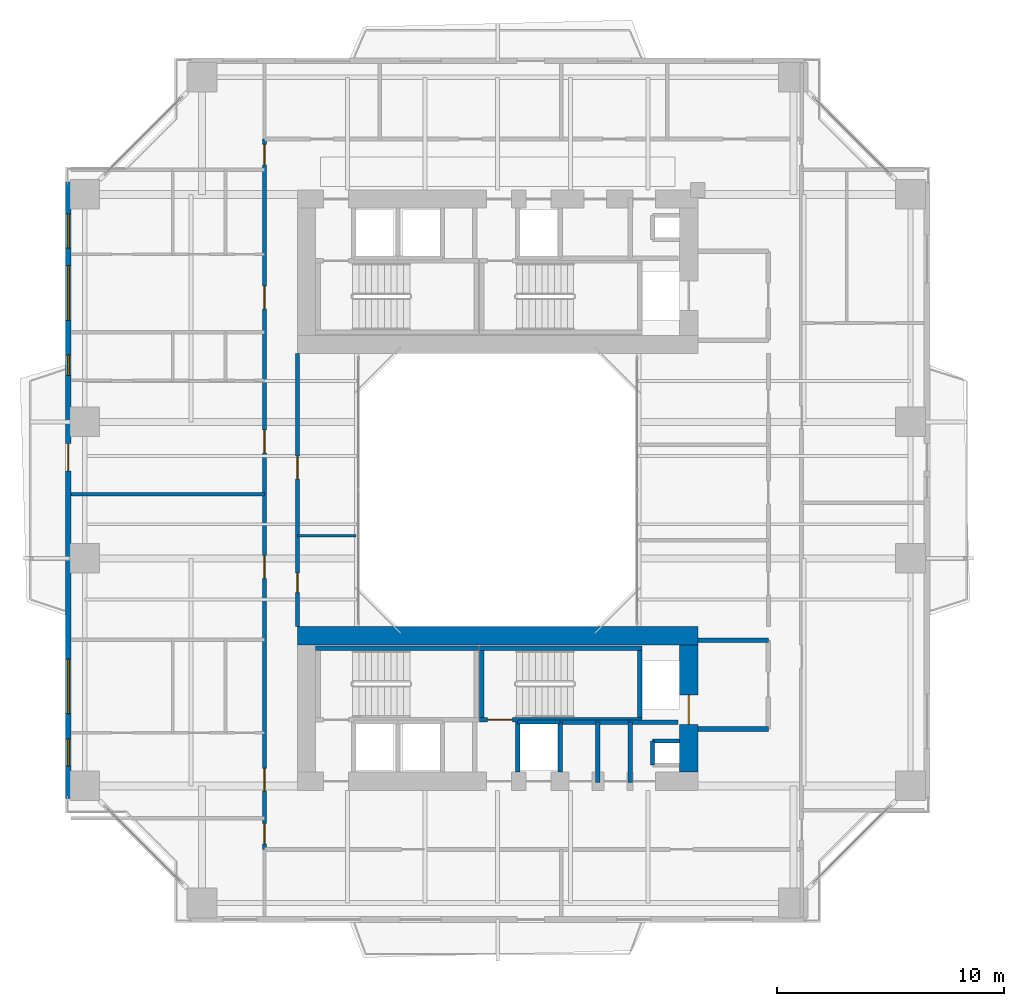
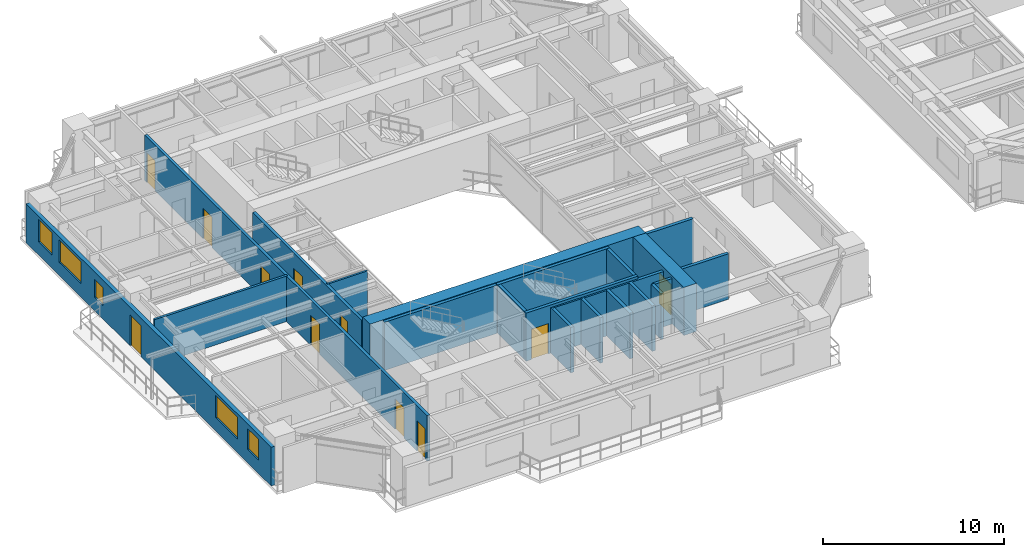
# One storey, part 14 of 23: 22 walls, 11 doors, 5 windows, 16 openings.
"""IFC4 building model written with IfcOpenShell, lengths in metres."""

from ifc_helpers import new_model, si_unit, direction, frame, frame_2d, origin, place, context, subcontext, project, spatial, rectangle, extrude, source, transform, mapped, material, layer, layer_set, type_object, element, fill, save


model = new_model("IFC4")

# Units and contexts
model_context = context("Model", 3, precision=1e-05, world=origin(), true_north=direction((0.0, 1.0)))
body_context = subcontext(model_context, "Body", "Model", "MODEL_VIEW")
ifc_project = project(units=[si_unit("LENGTHUNIT", "METRE"), si_unit("AREAUNIT", "SQUARE_METRE"), si_unit("VOLUMEUNIT", "CUBIC_METRE"), si_unit("PLANEANGLEUNIT", "RADIAN"), si_unit("MASSUNIT", "GRAM", prefix="KILO"), si_unit("THERMODYNAMICTEMPERATUREUNIT", "KELVIN"), si_unit("POWERUNIT", "WATT")], contexts=[model_context])

# Site, building, storey
site_placement = place(None, origin())
site = spatial("IfcSite", under=ifc_project, at=site_placement, CompositionType="ELEMENT")
building_placement = place(site_placement, origin())
building = spatial("IfcBuilding", under=site, at=building_placement, Name="Qiaomeng Ring Towers", CompositionType="ELEMENT")
storey_placement = place(building_placement, frame((0.0, 0.0, 66.5)))
storey = spatial("IfcBuildingStorey", under=building, at=storey_placement, Name="L18", CompositionType="ELEMENT", Elevation=66.5)

# Wall, openings, door, windows
ifc_material_1 = material(Name="Precast concrete C40", Category="concrete")
ifc_layer_1 = layer(ifc_material_1, 0.25, Name="Precast concrete C40")
ifc_layer_set_1 = layer_set([ifc_layer_1], Name="Precast concrete C40")
wall_type_1 = type_object("IfcWallType", Name="ARC-WL-EW1", PredefinedType="STANDARD", material=ifc_layer_set_1)
wall_1_placement = place(storey_placement, frame((0.125, 9.449951171875, 0.0), z_axis=(0.0, 0.0, 1.0), x_axis=(0.0, 1.0, 0.0)))
wall_1 = element("IfcWall", 1, at=wall_1_placement, inside=storey, type_object=wall_type_1, Name="L18 Tower 1 W Exterior Wall", PredefinedType="STANDARD", context=body_context, shape_type="SweptSolid", body=[
    extrude(rectangle(XDim=27.10009765625, YDim=0.25, at=frame_2d((13.550048828125, 0.0))), origin(), (0.0, 0.0, 1.0), 2.610107421875),
])
opening_1_placement = place(wall_1_placement, frame((14.39990234375, 0.0, 0.0)))
opening_1 = element("IfcOpeningElement", 2, at=opening_1_placement, cuts=wall_1, Name="Opening BD1", PredefinedType="OPENING", context=body_context, shape_type="SweptSolid", body=[
    extrude(rectangle(XDim=1.199951171875, YDim=2.10009765625, at=frame_2d((0.60009765625, 1.050048828125))), frame((0.0, 0.135009765625, 0.0), z_axis=(0.0, -1.0, 0.0), x_axis=(1.0, 0.0, 0.0)), (0.0, 0.0, 1.0), 0.27001953125),
])
opening_2_placement = place(wall_1_placement, frame((1.41748046875, 0.0, 0.89990234375)))
opening_2 = element("IfcOpeningElement", 3, at=opening_2_placement, cuts=wall_1, Name="Opening WN3", PredefinedType="OPENING", context=body_context, shape_type="SweptSolid", body=[
    extrude(rectangle(XDim=1.199951171875, YDim=1.39990234375, at=frame_2d((0.60009765625, 0.699951171875))), frame((0.0, 0.135009765625, 0.0), z_axis=(0.0, -1.0, 0.0), x_axis=(1.0, 0.0, 0.0)), (0.0, 0.0, 1.0), 0.27001953125),
])
opening_3_placement = place(wall_1_placement, frame((24.1875, 0.0, 0.89990234375)))
opening_3 = element("IfcOpeningElement", 4, at=opening_3_placement, cuts=wall_1, Name="Opening WN2", PredefinedType="OPENING", context=body_context, shape_type="SweptSolid", body=[
    extrude(rectangle(XDim=1.5, YDim=1.5, at=frame_2d((0.75, 0.75))), frame((0.0, 0.135009765625, 0.0), z_axis=(0.0, -1.0, 0.0), x_axis=(1.0, 0.0, 0.0)), (0.0, 0.0, 1.0), 0.27001953125),
])
opening_4_placement = place(wall_1_placement, frame((3.722412109375, 0.0, 0.89990234375)))
opening_4 = element("IfcOpeningElement", 5, at=opening_4_placement, cuts=wall_1, Name="Opening WN6", PredefinedType="OPENING", context=body_context, shape_type="SweptSolid", body=[
    extrude(rectangle(XDim=2.39990234375, YDim=1.5, at=frame_2d((1.199951171875, 0.75))), frame((0.0, 0.135009765625, 0.0), z_axis=(0.0, -1.0, 0.0), x_axis=(1.0, 0.0, 0.0)), (0.0, 0.0, 1.0), 0.27001953125),
])
opening_5_placement = place(wall_1_placement, frame((21.017578125, 0.0, 0.89990234375)))
opening_5 = element("IfcOpeningElement", 6, at=opening_5_placement, cuts=wall_1, Name="Opening WN6", PredefinedType="OPENING", context=body_context, shape_type="SweptSolid", body=[
    extrude(rectangle(XDim=2.39990234375, YDim=1.5, at=frame_2d((1.199951171875, 0.75))), frame((0.0, 0.135009765625, 0.0), z_axis=(0.0, -1.0, 0.0), x_axis=(1.0, 0.0, 0.0)), (0.0, 0.0, 1.0), 0.27001953125),
])
opening_6_placement = place(wall_1_placement, frame((18.60009765625, 0.0, 0.89990234375)))
opening_6 = element("IfcOpeningElement", 7, at=opening_6_placement, cuts=wall_1, Name="Opening WN5", PredefinedType="OPENING", context=body_context, shape_type="SweptSolid", body=[
    extrude(rectangle(XDim=0.89990234375, YDim=1.199951171875, at=frame_2d((0.449951171875, 0.60009765625))), frame((0.0, 0.135009765625, 0.0), z_axis=(0.0, -1.0, 0.0), x_axis=(1.0, 0.0, 0.0)), (0.0, 0.0, 1.0), 0.27001953125),
])
ifc_material_2 = material(Name="Low-E dark-grey laminated double glazing", Category="glass")
door_type_1 = type_object("IfcDoorType", Name="ARC-DR-BD1", OperationType="NOTDEFINED", PredefinedType="DOOR", material=ifc_material_2)
shared_shape_1 = source(origin(), body_context, "Body", "SweptSolid", [
    extrude(rectangle(XDim=1.199951171875, YDim=2.10009765625, at=frame_2d((0.60009765625, 1.050048828125))), frame((0.0, 0.02490234375, 0.0), z_axis=(0.0, -1.0, 0.0), x_axis=(1.0, 0.0, 0.0)), (0.0, 0.0, 1.0), 0.050048828125),
])
door_1_placement = place(opening_1_placement, frame((1.199951171875, 0.0, 0.0), z_axis=(0.0, 0.0, 1.0), x_axis=(-1.0, 0.0, 0.0)))
door_1 = element("IfcDoor", 8, at=door_1_placement, inside=storey, type_object=door_type_1, Name="L18 W Balcony Glazed Door", OperationType="SINGLE_SWING_LEFT", OverallHeight=2.10009765625, OverallWidth=1.199951171875, PredefinedType="DOOR", context=body_context, shape_type="MappedRepresentation", body=[
    mapped(shared_shape_1, transform((0.0, 0.0, 0.0), x_axis=(1.0, 0.0, 0.0), y_axis=(0.0, 1.0, 0.0), z_axis=(0.0, 0.0, 1.0), scale=1.0)),
])
fill(opening_1, door_1)
window_type_1 = type_object("IfcWindowType", Name="ARC-WN-2", PartitioningType="DOUBLE_PANEL_VERTICAL", PredefinedType="WINDOW", material=ifc_material_2)
shared_shape_2 = source(origin(), body_context, "Body", "SweptSolid", [
    extrude(rectangle(XDim=1.5, YDim=1.5, at=frame_2d((0.75, 0.75))), frame((0.0, 0.030029296875, 0.0), z_axis=(0.0, -1.0, 0.0), x_axis=(1.0, 0.0, 0.0)), (0.0, 0.0, 1.0), 0.06005859375),
])
window_1_placement = place(opening_3_placement, origin())
window_1 = element("IfcWindow", 9, at=window_1_placement, inside=storey, type_object=window_type_1, Name="L18 Exterior Window WN4", OverallHeight=1.5, OverallWidth=1.5, PartitioningType="TRIPLE_PANEL_VERTICAL", PredefinedType="WINDOW", context=body_context, shape_type="MappedRepresentation", body=[
    mapped(shared_shape_2, transform((0.0, 0.0, 0.0), x_axis=(1.0, 0.0, 0.0), y_axis=(0.0, 1.0, 0.0), z_axis=(0.0, 0.0, 1.0), scale=1.0)),
])
fill(opening_3, window_1)
window_type_2 = type_object("IfcWindowType", Name="ARC-WN-6", PartitioningType="TRIPLE_PANEL_VERTICAL", PredefinedType="WINDOW", material=ifc_material_2)
shared_shape_3 = source(origin(), body_context, "Body", "SweptSolid", [
    extrude(rectangle(XDim=2.39990234375, YDim=1.5, at=frame_2d((1.199951171875, 0.75))), frame((0.0, 0.030029296875, 0.0), z_axis=(0.0, -1.0, 0.0), x_axis=(1.0, 0.0, 0.0)), (0.0, 0.0, 1.0), 0.06005859375),
])
window_2_placement = place(opening_4_placement, origin())
window_2 = element("IfcWindow", 10, at=window_2_placement, inside=storey, type_object=window_type_2, Name="L18 Exterior Window WN6", OverallHeight=1.5, OverallWidth=2.39990234375, PartitioningType="TRIPLE_PANEL_VERTICAL", PredefinedType="WINDOW", context=body_context, shape_type="MappedRepresentation", body=[
    mapped(shared_shape_3, transform((0.0, 0.0, 0.0), x_axis=(1.0, 0.0, 0.0), y_axis=(0.0, 1.0, 0.0), z_axis=(0.0, 0.0, 1.0), scale=1.0)),
])
fill(opening_4, window_2)
window_3_placement = place(opening_5_placement, origin())
window_3 = element("IfcWindow", 11, at=window_3_placement, inside=storey, type_object=window_type_2, Name="L18 Exterior Window WN6", OverallHeight=1.5, OverallWidth=2.39990234375, PartitioningType="TRIPLE_PANEL_VERTICAL", PredefinedType="WINDOW", context=body_context, shape_type="MappedRepresentation", body=[
    mapped(shared_shape_3, transform((0.0, 0.0, 0.0), x_axis=(1.0, 0.0, 0.0), y_axis=(0.0, 1.0, 0.0), z_axis=(0.0, 0.0, 1.0), scale=1.0)),
])
fill(opening_5, window_3)
window_type_3 = type_object("IfcWindowType", Name="ARC-WN-3", PartitioningType="SINGLE_PANEL", PredefinedType="WINDOW", material=ifc_material_2)
shared_shape_4 = source(origin(), body_context, "Body", "SweptSolid", [
    extrude(rectangle(XDim=1.199951171875, YDim=1.39990234375, at=frame_2d((0.60009765625, 0.699951171875))), frame((0.0, 0.030029296875, 0.0), z_axis=(0.0, -1.0, 0.0), x_axis=(1.0, 0.0, 0.0)), (0.0, 0.0, 1.0), 0.06005859375),
])
window_4_placement = place(opening_2_placement, origin())
window_4 = element("IfcWindow", 12, at=window_4_placement, inside=storey, type_object=window_type_3, Name="L18 Exterior Window WN6", OverallHeight=1.39990234375, OverallWidth=1.199951171875, PartitioningType="TRIPLE_PANEL_VERTICAL", PredefinedType="WINDOW", context=body_context, shape_type="MappedRepresentation", body=[
    mapped(shared_shape_4, transform((0.0, 0.0, 0.0), x_axis=(1.0, 0.0, 0.0), y_axis=(0.0, 1.0, 0.0), z_axis=(0.0, 0.0, 1.0), scale=1.0)),
])
fill(opening_2, window_4)
window_type_4 = type_object("IfcWindowType", Name="ARC-WN-5", PartitioningType="SINGLE_PANEL", PredefinedType="WINDOW", material=ifc_material_2)
shared_shape_5 = source(origin(), body_context, "Body", "SweptSolid", [
    extrude(rectangle(XDim=0.89990234375, YDim=1.199951171875, at=frame_2d((0.449951171875, 0.60009765625))), frame((0.0, 0.030029296875, 0.0), z_axis=(0.0, -1.0, 0.0), x_axis=(1.0, 0.0, 0.0)), (0.0, 0.0, 1.0), 0.06005859375),
])
window_5_placement = place(opening_6_placement, origin())
window_5 = element("IfcWindow", 13, at=window_5_placement, inside=storey, type_object=window_type_4, Name="L18 Exterior Window WN5", OverallHeight=1.199951171875, OverallWidth=0.89990234375, PartitioningType="SINGLE_PANEL", PredefinedType="WINDOW", context=body_context, shape_type="MappedRepresentation", body=[
    mapped(shared_shape_5, transform((0.0, 0.0, 0.0), x_axis=(1.0, 0.0, 0.0), y_axis=(0.0, 1.0, 0.0), z_axis=(0.0, 0.0, 1.0), scale=1.0)),
])
fill(opening_6, window_5)

# Walls
ifc_material_3 = material(Name="Autoclaved aerated concrete block", Category="concrete")
ifc_layer_2 = layer(ifc_material_3, 0.199951171875, Name="Autoclaved aerated concrete block")
ifc_layer_set_2 = layer_set([ifc_layer_2], Name="Autoclaved aerated concrete block")
wall_type_2 = type_object("IfcWallType", Name="ARC-WL-PW1", PredefinedType="PARTITIONING", material=ifc_layer_set_2)
for number, where, z_axis, x_axis, name in (
    (14, (27.800048828125, 16.39990234375, 0.0), (0.0, 0.0, 1.0), (1.0, 0.0, 0.0), "L18 Interior Wall PW1"),
    (15, (27.800048828125, 12.5, 0.0), (0.0, 0.0, 1.0), (1.0, 0.0, 0.0), "L18 Interior Wall PW1"),
):
    element("IfcWall", number, at=place(storey_placement, frame(where, z_axis=z_axis, x_axis=x_axis)), inside=storey, type_object=wall_type_2, Name=name, PredefinedType="PARTITIONING", context=body_context, shape_type="SweptSolid", body=[
        extrude(rectangle(XDim=3.099853515625, YDim=0.199951171875, at=frame_2d((1.5498046875, 0.0))), origin(), (0.0, 0.0, 1.0), 3.070068359375),
    ])
wall_2_placement = place(storey_placement, frame((19.8798828125, 10.60009765625, 0.0), z_axis=(0.0, 0.0, 1.0), x_axis=(0.0, 1.0, 0.0)))
element("IfcWall", 16, at=wall_2_placement, inside=storey, type_object=wall_type_2, Name="L18 Interior Wall PW1", PredefinedType="PARTITIONING", context=body_context, shape_type="SweptSolid", body=[
    extrude(rectangle(XDim=2.2099609375, YDim=0.199951171875, at=frame_2d((1.10498046875, 0.0))), origin(), (0.0, 0.0, 1.0), 3.070068359375),
])
wall_3_placement = place(storey_placement, frame((24.820068359375, 10.14990234375, 0.0), z_axis=(0.0, 0.0, 1.0), x_axis=(0.0, 1.0, 0.0)))
element("IfcWall", 17, at=wall_3_placement, inside=storey, type_object=wall_type_2, Name="L18 Interior Wall PW1", PredefinedType="PARTITIONING", context=body_context, shape_type="SweptSolid", body=[
    extrude(rectangle(XDim=2.650146484375, YDim=0.199951171875, at=frame_2d((1.3251953125, 0.0))), origin(), (0.0, 0.0, 1.0), 3.070068359375),
])
wall_4_placement = place(storey_placement, frame((21.75, 10.60009765625, 0.0), z_axis=(0.0, 0.0, 1.0), x_axis=(0.0, 1.0, 0.0)))
element("IfcWall", 18, at=wall_4_placement, inside=storey, type_object=wall_type_2, Name="L18 Interior Wall PW1", PredefinedType="PARTITIONING", context=body_context, shape_type="SweptSolid", body=[
    extrude(rectangle(XDim=2.199951171875, YDim=0.199951171875, at=frame_2d((1.10009765625, 0.0))), origin(), (0.0, 0.0, 1.0), 3.070068359375),
])
wall_5_placement = place(storey_placement, frame((23.389892578125, 10.14990234375, 0.0), z_axis=(0.0, 0.0, 1.0), x_axis=(0.0, 1.0, 0.0)))
element("IfcWall", 19, at=wall_5_placement, inside=storey, type_object=wall_type_2, Name="L18 Interior Wall PW1", PredefinedType="PARTITIONING", context=body_context, shape_type="SweptSolid", body=[
    extrude(rectangle(XDim=2.650146484375, YDim=0.199951171875, at=frame_2d((1.3251953125, 0.0))), origin(), (0.0, 0.0, 1.0), 3.070068359375),
])
wall_6_placement = place(storey_placement, frame((21.75, 12.800048828125, 0.0), z_axis=(0.0, 0.0, 1.0), x_axis=(1.0, 0.0, 0.0)))
element("IfcWall", 20, at=wall_6_placement, inside=storey, type_object=wall_type_2, Name="L18 Interior Wall PW1", PredefinedType="PARTITIONING", context=body_context, shape_type="SweptSolid", body=[
    extrude(rectangle(XDim=5.169921875, YDim=0.199951171875, at=frame_2d((2.5849609375, 0.0))), origin(), (0.0, 0.0, 1.0), 3.070068359375),
])

# Wall, openings, doors
ifc_layer_3 = layer(ifc_material_3, 0.179931640625, Name="Autoclaved aerated concrete block")
ifc_layer_set_3 = layer_set([ifc_layer_3], Name="Autoclaved aerated concrete block")
wall_type_3 = type_object("IfcWallType", Name="ARC-WL-PW2", PredefinedType="PARTITIONING", material=ifc_layer_set_3)
wall_7_placement = place(storey_placement, frame((8.75, 7.2099609375, 0.0), z_axis=(0.0, 0.0, 1.0), x_axis=(0.0, 1.0, 0.0)))
wall_7 = element("IfcWall", 21, at=wall_7_placement, inside=storey, type_object=wall_type_3, Name="L18 Interior Wall PW2", PredefinedType="PARTITIONING", context=body_context, shape_type="SweptSolid", body=[
    extrude(rectangle(XDim=31.22998046875, YDim=0.179931640625, at=frame_2d((15.614990234375, 0.0))), origin(), (0.0, 0.0, 1.0), 3.070068359375),
])
opening_7_placement = place(wall_7_placement, frame((30.090087890625, 0.0, 0.0)))
opening_7 = element("IfcOpeningElement", 22, at=opening_7_placement, cuts=wall_7, Name="Opening ID1", PredefinedType="OPENING", context=body_context, shape_type="SweptSolid", body=[
    extrude(rectangle(XDim=0.89990234375, YDim=2.050048828125, at=frame_2d((0.449951171875, 1.02490234375))), frame((0.0, 0.099853515625, 0.0), z_axis=(0.0, -1.0, 0.0), x_axis=(1.0, 0.0, 0.0)), (0.0, 0.0, 1.0), 0.199951171875),
])
opening_8_placement = place(wall_7_placement, frame((0.239990234375, 0.0, 0.0)))
opening_8 = element("IfcOpeningElement", 23, at=opening_8_placement, cuts=wall_7, Name="Opening ID1", PredefinedType="OPENING", context=body_context, shape_type="SweptSolid", body=[
    extrude(rectangle(XDim=0.89990234375, YDim=2.050048828125, at=frame_2d((0.449951171875, 1.02490234375))), frame((0.0, 0.099853515625, 0.0), z_axis=(0.0, -1.0, 0.0), x_axis=(1.0, 0.0, 0.0)), (0.0, 0.0, 1.0), 0.199951171875),
])
opening_9_placement = place(wall_7_placement, frame((2.554931640625, 0.0, 0.0)))
opening_9 = element("IfcOpeningElement", 24, at=opening_9_placement, cuts=wall_7, Name="Opening FD4", PredefinedType="OPENING", context=body_context, shape_type="SweptSolid", body=[
    extrude(rectangle(XDim=1.0, YDim=2.050048828125, at=frame_2d((0.5, 1.02490234375))), frame((0.0, 0.099853515625, 0.0), z_axis=(0.0, -1.0, 0.0), x_axis=(1.0, 0.0, 0.0)), (0.0, 0.0, 1.0), 0.199951171875),
])
opening_10_placement = place(wall_7_placement, frame((11.909912109375, 0.0, 0.0)))
opening_10 = element("IfcOpeningElement", 25, at=opening_10_placement, cuts=wall_7, Name="Opening FD4", PredefinedType="OPENING", context=body_context, shape_type="SweptSolid", body=[
    extrude(rectangle(XDim=1.0, YDim=2.050048828125, at=frame_2d((0.5, 1.02490234375))), frame((0.0, 0.099853515625, 0.0), z_axis=(0.0, -1.0, 0.0), x_axis=(1.0, 0.0, 0.0)), (0.0, 0.0, 1.0), 0.199951171875),
])
opening_11_placement = place(wall_7_placement, frame((17.425048828125, 0.0, 0.0)))
opening_11 = element("IfcOpeningElement", 26, at=opening_11_placement, cuts=wall_7, Name="Opening FD4", PredefinedType="OPENING", context=body_context, shape_type="SweptSolid", body=[
    extrude(rectangle(XDim=1.0, YDim=2.050048828125, at=frame_2d((0.5, 1.02490234375))), frame((0.0, 0.099853515625, 0.0), z_axis=(0.0, -1.0, 0.0), x_axis=(1.0, 0.0, 0.0)), (0.0, 0.0, 1.0), 0.199951171875),
])
opening_12_placement = place(wall_7_placement, frame((23.760009765625, 0.0, 0.0)))
opening_12 = element("IfcOpeningElement", 27, at=opening_12_placement, cuts=wall_7, Name="Opening FD4", PredefinedType="OPENING", context=body_context, shape_type="SweptSolid", body=[
    extrude(rectangle(XDim=1.0, YDim=2.050048828125, at=frame_2d((0.5, 1.02490234375))), frame((0.0, 0.099853515625, 0.0), z_axis=(0.0, -1.0, 0.0), x_axis=(1.0, 0.0, 0.0)), (0.0, 0.0, 1.0), 0.199951171875),
])
ifc_material_4 = material(Name="Engineered fire-rated oak timber", Category="wood")
door_type_2 = type_object("IfcDoorType", Name="ARC-DR-FD4", OperationType="NOTDEFINED", PredefinedType="DOOR", material=ifc_material_4)
shared_shape_6 = source(origin(), body_context, "Body", "SweptSolid", [
    extrude(rectangle(XDim=1.0, YDim=2.050048828125, at=frame_2d((0.5, 1.02490234375))), frame((0.0, 0.02490234375, 0.0), z_axis=(0.0, -1.0, 0.0), x_axis=(1.0, 0.0, 0.0)), (0.0, 0.0, 1.0), 0.050048828125),
])
door_2_placement = place(opening_9_placement, origin())
door_2 = element("IfcDoor", 28, at=door_2_placement, inside=storey, type_object=door_type_2, Name="L18 Door FD4", OperationType="SINGLE_SWING_LEFT", OverallHeight=2.050048828125, OverallWidth=1.0, PredefinedType="DOOR", context=body_context, shape_type="MappedRepresentation", body=[
    mapped(shared_shape_6, transform((0.0, 0.0, 0.0), x_axis=(1.0, 0.0, 0.0), y_axis=(0.0, 1.0, 0.0), z_axis=(0.0, 0.0, 1.0), scale=1.0)),
])
fill(opening_9, door_2)
door_3_placement = place(opening_10_placement, origin())
door_3 = element("IfcDoor", 29, at=door_3_placement, inside=storey, type_object=door_type_2, Name="L18 Door FD4", OperationType="SINGLE_SWING_RIGHT", OverallHeight=2.050048828125, OverallWidth=1.0, PredefinedType="DOOR", context=body_context, shape_type="MappedRepresentation", body=[
    mapped(shared_shape_6, transform((0.0, 0.0, 0.0), x_axis=(1.0, 0.0, 0.0), y_axis=(0.0, 1.0, 0.0), z_axis=(0.0, 0.0, 1.0), scale=1.0)),
])
fill(opening_10, door_3)
door_4_placement = place(opening_11_placement, origin())
door_4 = element("IfcDoor", 30, at=door_4_placement, inside=storey, type_object=door_type_2, Name="L18 Door FD4", OperationType="SINGLE_SWING_RIGHT", OverallHeight=2.050048828125, OverallWidth=1.0, PredefinedType="DOOR", context=body_context, shape_type="MappedRepresentation", body=[
    mapped(shared_shape_6, transform((0.0, 0.0, 0.0), x_axis=(1.0, 0.0, 0.0), y_axis=(0.0, 1.0, 0.0), z_axis=(0.0, 0.0, 1.0), scale=1.0)),
])
fill(opening_11, door_4)
door_5_placement = place(opening_12_placement, origin())
door_5 = element("IfcDoor", 31, at=door_5_placement, inside=storey, type_object=door_type_2, Name="L18 Door FD4", OperationType="SINGLE_SWING_RIGHT", OverallHeight=2.050048828125, OverallWidth=1.0, PredefinedType="DOOR", context=body_context, shape_type="MappedRepresentation", body=[
    mapped(shared_shape_6, transform((0.0, 0.0, 0.0), x_axis=(1.0, 0.0, 0.0), y_axis=(0.0, 1.0, 0.0), z_axis=(0.0, 0.0, 1.0), scale=1.0)),
])
fill(opening_12, door_5)
ifc_material_5 = material(Name="Engineered oak timber", Category="wood")
door_type_3 = type_object("IfcDoorType", Name="ARC-DR-ID1", OperationType="NOTDEFINED", PredefinedType="DOOR", material=ifc_material_5)
shared_shape_7 = source(origin(), body_context, "Body", "SweptSolid", [
    extrude(rectangle(XDim=0.89990234375, YDim=2.050048828125, at=frame_2d((0.449951171875, 1.02490234375))), frame((0.0, 0.02490234375, 0.0), z_axis=(0.0, -1.0, 0.0), x_axis=(1.0, 0.0, 0.0)), (0.0, 0.0, 1.0), 0.050048828125),
])
door_6_placement = place(opening_7_placement, origin())
door_6 = element("IfcDoor", 32, at=door_6_placement, inside=storey, type_object=door_type_3, Name="L18 Door ID1", OperationType="SINGLE_SWING_RIGHT", OverallHeight=2.050048828125, OverallWidth=0.89990234375, PredefinedType="DOOR", context=body_context, shape_type="MappedRepresentation", body=[
    mapped(shared_shape_7, transform((0.0, 0.0, 0.0), x_axis=(1.0, 0.0, 0.0), y_axis=(0.0, 1.0, 0.0), z_axis=(0.0, 0.0, 1.0), scale=1.0)),
])
fill(opening_7, door_6)
door_7_placement = place(opening_8_placement, origin())
door_7 = element("IfcDoor", 33, at=door_7_placement, inside=storey, type_object=door_type_3, Name="L18 Door ID1", OperationType="SINGLE_SWING_LEFT", OverallHeight=2.050048828125, OverallWidth=0.89990234375, PredefinedType="DOOR", context=body_context, shape_type="MappedRepresentation", body=[
    mapped(shared_shape_7, transform((0.0, 0.0, 0.0), x_axis=(1.0, 0.0, 0.0), y_axis=(0.0, 1.0, 0.0), z_axis=(0.0, 0.0, 1.0), scale=1.0)),
])
fill(opening_8, door_7)

wall_8_placement = place(storey_placement, frame((10.199951171875, 17.0, 0.0), z_axis=(0.0, 0.0, 1.0), x_axis=(0.0, 1.0, 0.0)))
wall_8 = element("IfcWall", 34, at=wall_8_placement, inside=storey, type_object=wall_type_3, Name="L18 Interior Wall PW2", PredefinedType="PARTITIONING", context=body_context, shape_type="SweptSolid", body=[
    extrude(rectangle(XDim=12.0, YDim=0.179931640625, at=frame_2d((6.0, 0.0))), origin(), (0.0, 0.0, 1.0), 3.070068359375),
])
opening_13_placement = place(wall_8_placement, frame((1.5, 0.0, 0.0)))
opening_13 = element("IfcOpeningElement", 35, at=opening_13_placement, cuts=wall_8, Name="Opening ID2", PredefinedType="OPENING", context=body_context, shape_type="SweptSolid", body=[
    extrude(rectangle(XDim=0.85009765625, YDim=2.050048828125, at=frame_2d((0.425048828125, 1.02490234375))), frame((0.0, 0.099853515625, 0.0), z_axis=(0.0, -1.0, 0.0), x_axis=(1.0, 0.0, 0.0)), (0.0, 0.0, 1.0), 0.199951171875),
])
opening_14_placement = place(wall_8_placement, frame((6.5, 0.0, 0.0)))
opening_14 = element("IfcOpeningElement", 36, at=opening_14_placement, cuts=wall_8, Name="Opening FD4", PredefinedType="OPENING", context=body_context, shape_type="SweptSolid", body=[
    extrude(rectangle(XDim=1.0, YDim=2.050048828125, at=frame_2d((0.5, 1.02490234375))), frame((0.0, 0.099853515625, 0.0), z_axis=(0.0, -1.0, 0.0), x_axis=(1.0, 0.0, 0.0)), (0.0, 0.0, 1.0), 0.199951171875),
])
door_8_placement = place(opening_14_placement, origin())
door_8 = element("IfcDoor", 37, at=door_8_placement, inside=storey, type_object=door_type_2, Name="L18 Door FD4", OperationType="SINGLE_SWING_RIGHT", OverallHeight=2.050048828125, OverallWidth=1.0, PredefinedType="DOOR", context=body_context, shape_type="MappedRepresentation", body=[
    mapped(shared_shape_6, transform((0.0, 0.0, 0.0), x_axis=(1.0, 0.0, 0.0), y_axis=(0.0, 1.0, 0.0), z_axis=(0.0, 0.0, 1.0), scale=1.0)),
])
fill(opening_14, door_8)
ifc_material_6 = material(Name="Moisture-resistant engineered timber", Category="wood")
door_type_4 = type_object("IfcDoorType", Name="ARC-DR-ID2", OperationType="NOTDEFINED", PredefinedType="DOOR", material=ifc_material_6)
shared_shape_8 = source(origin(), body_context, "Body", "SweptSolid", [
    extrude(rectangle(XDim=0.85009765625, YDim=2.050048828125, at=frame_2d((0.425048828125, 1.02490234375))), frame((0.0, 0.02490234375, 0.0), z_axis=(0.0, -1.0, 0.0), x_axis=(1.0, 0.0, 0.0)), (0.0, 0.0, 1.0), 0.050048828125),
])
door_9_placement = place(opening_13_placement, origin())
door_9 = element("IfcDoor", 38, at=door_9_placement, inside=storey, type_object=door_type_4, Name="L18 Door ID2", OperationType="SINGLE_SWING_LEFT", OverallHeight=2.050048828125, OverallWidth=0.85009765625, PredefinedType="DOOR", context=body_context, shape_type="MappedRepresentation", body=[
    mapped(shared_shape_8, transform((0.0, 0.0, 0.0), x_axis=(1.0, 0.0, 0.0), y_axis=(0.0, 1.0, 0.0), z_axis=(0.0, 0.0, 1.0), scale=1.0)),
])
fill(opening_13, door_9)

# Walls
ifc_material_7 = material(Name="Gypsum fireboard steel-stud partition", Category="steel")
ifc_layer_4 = layer(ifc_material_7, 0.14990234375, Name="Gypsum fireboard steel-stud partition")
ifc_layer_set_4 = layer_set([ifc_layer_4], Name="Gypsum fireboard steel-stud partition")
wall_type_4 = type_object("IfcWallType", Name="ARC-WL-PW3", PredefinedType="PARTITIONING", material=ifc_layer_set_4)
wall_9_placement = place(storey_placement, frame((0.25, 22.820068359375, 0.0), z_axis=(0.0, 0.0, 1.0), x_axis=(1.0, 0.0, 0.0)))
element("IfcWall", 39, at=wall_9_placement, inside=storey, type_object=wall_type_4, Name="L18 Interior Wall PW3", PredefinedType="PARTITIONING", context=body_context, shape_type="SweptSolid", body=[
    extrude(rectangle(XDim=8.5, YDim=0.14990234375, at=frame_2d((4.25, 0.0))), origin(), (0.0, 0.0, 1.0), 3.070068359375),
])
ifc_material_8 = material(Name="Moisture-resistant gypsum steel-stud partition", Category="steel")
ifc_layer_5 = layer(ifc_material_8, 0.1201171875, Name="Moisture-resistant gypsum steel-stud partition")
ifc_layer_set_5 = layer_set([ifc_layer_5], Name="Moisture-resistant gypsum steel-stud partition")
wall_type_5 = type_object("IfcWallType", Name="ARC-WL-PW4", PredefinedType="PLUMBINGWALL", material=ifc_layer_set_5)
wall_10_placement = place(storey_placement, frame((10.199951171875, 21.0, 0.0), z_axis=(0.0, 0.0, 1.0), x_axis=(1.0, 0.0, 0.0)))
element("IfcWall", 40, at=wall_10_placement, inside=storey, type_object=wall_type_5, Name="L18 Interior Wall PW4", PredefinedType="PLUMBINGWALL", context=body_context, shape_type="SweptSolid", body=[
    extrude(rectangle(XDim=2.580078125, YDim=0.1201171875, at=frame_2d((1.2900390625, 0.0))), origin(), (0.0, 0.0, 1.0), 3.070068359375),
])
ifc_material_9 = material(Name="Concrete C40", Category="concrete")
ifc_layer_6 = layer(ifc_material_9, 0.199951171875, Name="Concrete C40")
ifc_layer_set_6 = layer_set([ifc_layer_6], Name="Concrete C40")
wall_type_6 = type_object("IfcWallType", Name="STR-WL-STSHAFT", PredefinedType="SHEAR", material=ifc_layer_set_6)
wall_11_placement = place(storey_placement, frame((25.800048828125, 10.919921875, 0.0), z_axis=(0.0, 0.0, 1.0), x_axis=(0.0, 1.0, 0.0)))
element("IfcWall", 41, at=wall_11_placement, inside=storey, type_object=wall_type_6, Name="L18 Riser RSR1 West Shaft Wall S", PredefinedType="SHEAR", context=body_context, shape_type="SweptSolid", body=[
    extrude(rectangle(XDim=1.06005859375, YDim=0.179931640625, at=frame_2d((0.530029296875, 0.0))), origin(), (0.0, 0.0, 1.0), 3.070068359375),
])
wall_12_placement = place(storey_placement, frame((25.800048828125, 11.97998046875, 0.0), z_axis=(0.0, 0.0, 1.0), x_axis=(1.0, 0.0, 0.0)))
element("IfcWall", 42, at=wall_12_placement, inside=storey, type_object=wall_type_6, Name="L18 Riser RSR1 North Shaft Wall S", PredefinedType="SHEAR", context=body_context, shape_type="SweptSolid", body=[
    extrude(rectangle(XDim=1.199951171875, YDim=0.179931640625, at=frame_2d((0.60009765625, 0.0))), origin(), (0.0, 0.0, 1.0), 3.070068359375),
])
wall_13_placement = place(storey_placement, frame((19.8798828125, 12.800048828125, 0.0), z_axis=(0.0, 0.0, 1.0), x_axis=(1.0, 0.0, 0.0)))
element("IfcWall", 43, at=wall_13_placement, inside=storey, type_object=wall_type_6, Name="L18 Lift LP2 Shaft Back Wall", PredefinedType="SHEAR", context=body_context, shape_type="SweptSolid", body=[
    extrude(rectangle(XDim=1.8701171875, YDim=0.179931640625, at=frame_2d((0.93505859375, 0.0))), origin(), (0.0, 0.0, 1.0), 3.070068359375),
])
wall_14_placement = place(storey_placement, frame((11.0, 16.050048828125, 0.0), z_axis=(0.0, 0.0, 1.0), x_axis=(1.0, 0.0, 0.0)))
element("IfcWall", 44, at=wall_14_placement, inside=storey, type_object=wall_type_6, Name="L18 Stair ST3 North Shaft Shear Wall", PredefinedType="SHEAR", context=body_context, shape_type="SweptSolid", body=[
    extrude(rectangle(XDim=7.14990234375, YDim=0.199951171875, at=frame_2d((3.574951171875, 0.0))), origin(), (0.0, 0.0, 1.0), 3.25),
])

# Wall, opening, door
wall_15_placement = place(storey_placement, frame((18.199951171875, 12.909912109375, 0.0), z_axis=(0.0, 0.0, 1.0), x_axis=(1.0, 0.0, 0.0)))
wall_15 = element("IfcWall", 45, at=wall_15_placement, inside=storey, type_object=wall_type_6, Name="L18 Stair ST4 South Shaft Shear Wall", PredefinedType="SHEAR", context=body_context, shape_type="SweptSolid", body=[
    extrude(rectangle(XDim=7.150146484375, YDim=0.199951171875, at=frame_2d((3.5751953125, 0.0))), origin(), (0.0, 0.0, 1.0), 3.25),
])
opening_15_placement = place(wall_15_placement, frame((0.35009765625, 0.0, 0.0)))
opening_15 = element("IfcOpeningElement", 46, at=opening_15_placement, cuts=wall_15, Name="Opening FD3", PredefinedType="OPENING", context=body_context, shape_type="SweptSolid", body=[
    extrude(rectangle(XDim=1.10009765625, YDim=2.050048828125, at=frame_2d((0.550048828125, 1.02490234375))), frame((0.0, 0.10986328125, 0.0), z_axis=(0.0, -1.0, 0.0), x_axis=(1.0, 0.0, 0.0)), (0.0, 0.0, 1.0), 0.219970703125),
])
ifc_material_10 = material(Name="Galvanised steel", Category="steel")
door_type_5 = type_object("IfcDoorType", Name="ARC-DR-FD3", OperationType="NOTDEFINED", PredefinedType="DOOR", material=ifc_material_10)
shared_shape_9 = source(origin(), body_context, "Body", "SweptSolid", [
    extrude(rectangle(XDim=1.10009765625, YDim=2.050048828125, at=frame_2d((0.550048828125, 1.02490234375))), frame((0.0, 0.02490234375, 0.0), z_axis=(0.0, -1.0, 0.0), x_axis=(1.0, 0.0, 0.0)), (0.0, 0.0, 1.0), 0.050048828125),
])
door_10_placement = place(opening_15_placement, frame((1.10009765625, 0.0, 0.0), z_axis=(0.0, 0.0, 1.0), x_axis=(-1.0, 0.0, 0.0)))
door_10 = element("IfcDoor", 47, at=door_10_placement, inside=storey, type_object=door_type_5, Name="L18 Stair ST4 Exit Door", OperationType="SINGLE_SWING_RIGHT", OverallHeight=2.050048828125, OverallWidth=1.10009765625, PredefinedType="DOOR", context=body_context, shape_type="MappedRepresentation", body=[
    mapped(shared_shape_9, transform((0.0, 0.0, 0.0), x_axis=(1.0, 0.0, 0.0), y_axis=(0.0, 1.0, 0.0), z_axis=(0.0, 0.0, 1.0), scale=1.0)),
])
fill(opening_15, door_10)

# Walls
wall_16_placement = place(storey_placement, frame((18.199951171875, 16.050048828125, 0.0), z_axis=(0.0, 0.0, 1.0), x_axis=(1.0, 0.0, 0.0)))
element("IfcWall", 48, at=wall_16_placement, inside=storey, type_object=wall_type_6, Name="L18 Stair ST4 North Shaft Shear Wall", PredefinedType="SHEAR", context=body_context, shape_type="SweptSolid", body=[
    extrude(rectangle(XDim=7.150146484375, YDim=0.199951171875, at=frame_2d((3.5751953125, 0.0))), origin(), (0.0, 0.0, 1.0), 3.25),
])
for number, where, z_axis, x_axis, name in (
    (49, (18.300048828125, 13.010009765625, 0.0), (0.0, 0.0, 1.0), (0.0, 1.0, 0.0), "L18 Stair ST4 West Shaft Shear Wall"),
    (50, (25.25, 13.010009765625, 0.0), (0.0, 0.0, 1.0), (0.0, 1.0, 0.0), "L18 Stair ST4 East Shaft Shear Wall"),
):
    element("IfcWall", number, at=place(storey_placement, frame(where, z_axis=z_axis, x_axis=x_axis)), inside=storey, type_object=wall_type_6, Name=name, PredefinedType="SHEAR", context=body_context, shape_type="SweptSolid", body=[
        extrude(rectangle(XDim=2.93994140625, YDim=0.199951171875, at=frame_2d((1.469970703125, 0.0))), origin(), (0.0, 0.0, 1.0), 3.25),
    ])
ifc_material_11 = material(Name="Concrete C60", Category="concrete")
ifc_layer_7 = layer(ifc_material_11, 0.800048828125, Name="Concrete C60")
ifc_layer_set_7 = layer_set([ifc_layer_7], Name="Concrete C60")
wall_type_7 = type_object("IfcWallType", Name="STR-WL-SW1", PredefinedType="SHEAR", material=ifc_layer_set_7)
wall_17_placement = place(storey_placement, frame((10.199951171875, 16.60009765625, 0.0), z_axis=(0.0, 0.0, 1.0), x_axis=(1.0, 0.0, 0.0)))
element("IfcWall", 51, at=wall_17_placement, inside=storey, type_object=wall_type_7, Name="L18 T1SC north core shear wall", PredefinedType="SHEAR", context=body_context, shape_type="SweptSolid", body=[
    extrude(rectangle(XDim=17.60009765625, YDim=0.800048828125, at=frame_2d((8.800048828125, 0.0))), origin(), (0.0, 0.0, 1.0), 3.25),
])

# Wall, opening, door
wall_18_placement = place(storey_placement, frame((27.39990234375, 10.60009765625, 0.0), z_axis=(0.0, 0.0, 1.0), x_axis=(0.0, 1.0, 0.0)))
wall_18 = element("IfcWall", 52, at=wall_18_placement, inside=storey, type_object=wall_type_7, Name="L18 T1SC east core shear wall", PredefinedType="SHEAR", context=body_context, shape_type="SweptSolid", body=[
    extrude(rectangle(XDim=5.599853515625, YDim=0.800048828125, at=frame_2d((2.7998046875, 0.0))), origin(), (0.0, 0.0, 1.0), 3.25),
])
opening_16_placement = place(wall_18_placement, frame((2.10009765625, 0.0, 0.0)))
opening_16 = element("IfcOpeningElement", 53, at=opening_16_placement, cuts=wall_18, Name="Opening LD2", PredefinedType="OPENING", context=body_context, shape_type="SweptSolid", body=[
    extrude(rectangle(XDim=1.300048828125, YDim=2.050048828125, at=frame_2d((0.64990234375, 1.02490234375))), frame((0.0, 0.409912109375, 0.0), z_axis=(0.0, -1.0, 0.0), x_axis=(1.0, 0.0, 0.0)), (0.0, 0.0, 1.0), 0.820068359375),
])
ifc_material_12 = material(Name="Stainless steel 316", Category="steel")
door_type_6 = type_object("IfcDoorType", Name="ARC-DR-LD2", OperationType="NOTDEFINED", PredefinedType="DOOR", material=ifc_material_12)
shared_shape_10 = source(origin(), body_context, "Body", "SweptSolid", [
    extrude(rectangle(XDim=1.300048828125, YDim=2.050048828125, at=frame_2d((0.64990234375, 1.02490234375))), frame((0.0, 0.02490234375, 0.0), z_axis=(0.0, -1.0, 0.0), x_axis=(1.0, 0.0, 0.0)), (0.0, 0.0, 1.0), 0.050048828125),
])
door_11_placement = place(opening_16_placement, origin())
door_11 = element("IfcDoor", 54, at=door_11_placement, inside=storey, type_object=door_type_6, Name="L18 Firefighting Lift FL2 Landing Door", OperationType="SLIDING_TO_RIGHT", OverallHeight=2.050048828125, OverallWidth=1.300048828125, PredefinedType="DOOR", context=body_context, shape_type="MappedRepresentation", body=[
    mapped(shared_shape_10, transform((0.0, 0.0, 0.0), x_axis=(1.0, 0.0, 0.0), y_axis=(0.0, 1.0, 0.0), z_axis=(0.0, 0.0, 1.0), scale=1.0)),
])
fill(opening_16, door_11)

save(model, "model.ifc")
